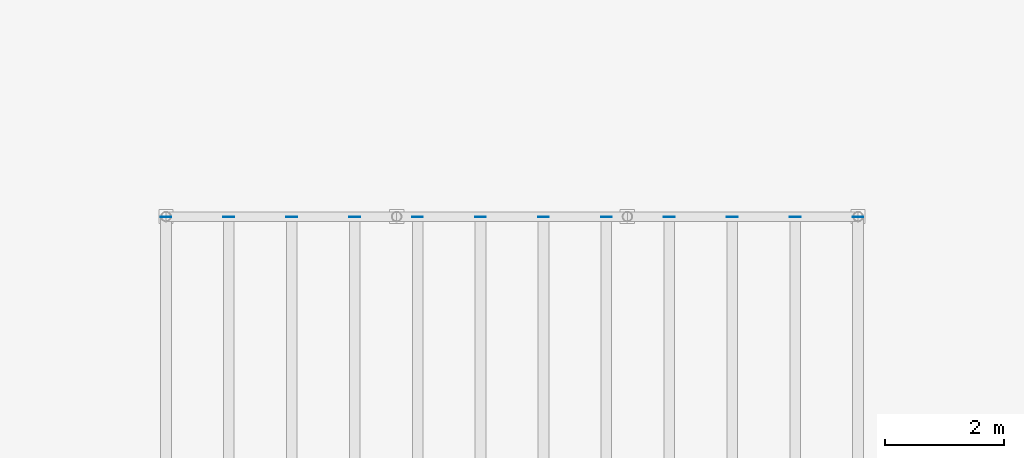
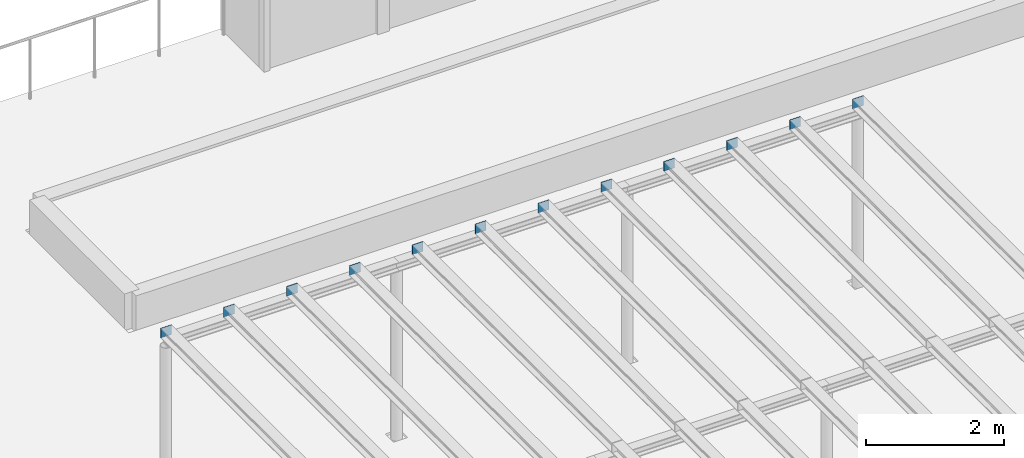
# One storey, part 25 of 28: 12 discrete accessories.
"""IFC4 building model written with IfcOpenShell, lengths in metres."""

from ifc_helpers import new_model, si_unit, direction, frame, origin, origin_2d, place, context, subcontext, project, spatial, rectangle, extrude, material, type_object, element, save


model = new_model("IFC4")

# Units and contexts
model_context = context("Model", 3, precision=1e-05, world=origin(), true_north=direction((0.0, 1.0)))
body_context = subcontext(model_context, "Body", "Model", "MODEL_VIEW")
ifc_project = project(units=[si_unit("LENGTHUNIT", "METRE"), si_unit("AREAUNIT", "SQUARE_METRE"), si_unit("VOLUMEUNIT", "CUBIC_METRE"), si_unit("PLANEANGLEUNIT", "RADIAN"), si_unit("MASSUNIT", "GRAM", prefix="KILO")], contexts=[model_context])

# Site, building, storey
site_placement = place(None, origin())
site = spatial("IfcSite", under=ifc_project, at=site_placement, CompositionType="ELEMENT")
building_placement = place(site_placement, origin())
building = spatial("IfcBuilding", under=site, at=building_placement, Name="Qaws Garden Tower", CompositionType="ELEMENT")
storey_placement = place(building_placement, frame((0.0, 0.0, 6.0)))
storey = spatial("IfcBuildingStorey", under=building, at=storey_placement, Name="L01", CompositionType="ELEMENT", Elevation=6.0)

# Discrete accessories
ifc_material = material(Name="Steel S355", Category="steel")
discrete_accessory_type = type_object("IfcDiscreteAccessoryType", Name="Pergola rafter end plate 8", PredefinedType="USERDEFINED", material=ifc_material)
for number, where, z_axis, x_axis, name in (
    (1, (34.199951171875, 89.7958984375, 3.1201171875), (0.0, 0.0, 1.0), (1.0, 0.0, 0.0), "Pergola 1 rafter 1.2 end plate 2"),
    (2, (35.25439453125, 89.7958984375, 3.1201171875), (0.0, 0.0, 1.0), (1.0, 0.0, 0.0), "Pergola 1 rafter 2.2 end plate 2"),
    (3, (36.30908203125, 89.7958984375, 3.1201171875), (0.0, 0.0, 1.0), (1.0, 0.0, 0.0), "Pergola 1 rafter 3.2 end plate 2"),
    (4, (37.363525390625, 89.7958984375, 3.1201171875), (0.0, 0.0, 1.0), (1.0, 0.0, 0.0), "Pergola 1 rafter 4.2 end plate 2"),
    (5, (38.418212890625, 89.7958984375, 3.1201171875), (0.0, 0.0, 1.0), (1.0, 0.0, 0.0), "Pergola 1 rafter 5.2 end plate 2"),
    (6, (39.47265625, 89.7958984375, 3.1201171875), (0.0, 0.0, 1.0), (1.0, 0.0, 0.0), "Pergola 1 rafter 6.2 end plate 2"),
    (7, (40.52734375, 89.7958984375, 3.1201171875), (0.0, 0.0, 1.0), (1.0, 0.0, 0.0), "Pergola 1 rafter 7.2 end plate 2"),
    (8, (41.581787109375, 89.7958984375, 3.1201171875), (0.0, 0.0, 1.0), (1.0, 0.0, 0.0), "Pergola 1 rafter 8.2 end plate 2"),
    (9, (42.636474609375, 89.7958984375, 3.1201171875), (0.0, 0.0, 1.0), (1.0, 0.0, 0.0), "Pergola 1 rafter 9.2 end plate 2"),
    (10, (43.69091796875, 89.7958984375, 3.1201171875), (0.0, 0.0, 1.0), (1.0, 0.0, 0.0), "Pergola 1 rafter 10.2 end plate 2"),
    (11, (44.74560546875, 89.7958984375, 3.1201171875), (0.0, 0.0, 1.0), (1.0, 0.0, 0.0), "Pergola 1 rafter 11.2 end plate 2"),
    (12, (45.800048828125, 89.7958984375, 3.1201171875), (0.0, 0.0, 1.0), (1.0, 0.0, 0.0), "Pergola 1 rafter 12.2 end plate 2"),
):
    element("IfcDiscreteAccessory", number, at=place(storey_placement, frame(where, z_axis=z_axis, x_axis=x_axis)), inside=storey, type_object=discrete_accessory_type, Name=name, ObjectType="End plate", PredefinedType="USERDEFINED", context=body_context, shape_type="SweptSolid", body=[
        extrude(rectangle(XDim=0.179931640625, YDim=0.008056640625, at=origin_2d()), origin(), (0.0, 0.0, 1.0), 0.1708984375),
    ])

save(model, "model.ifc")
